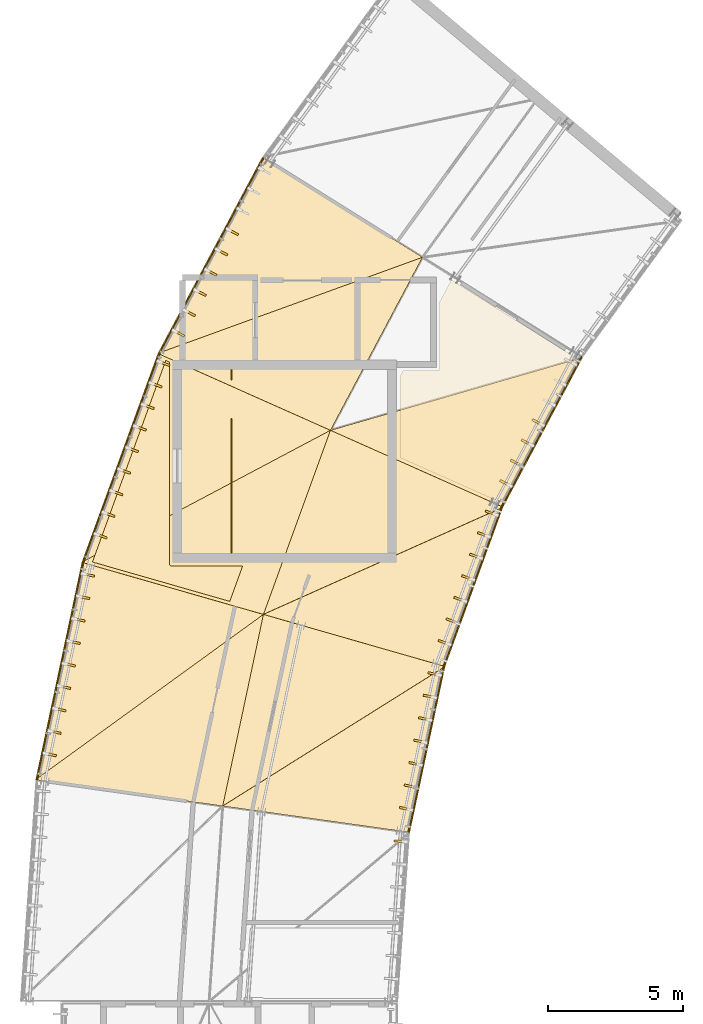
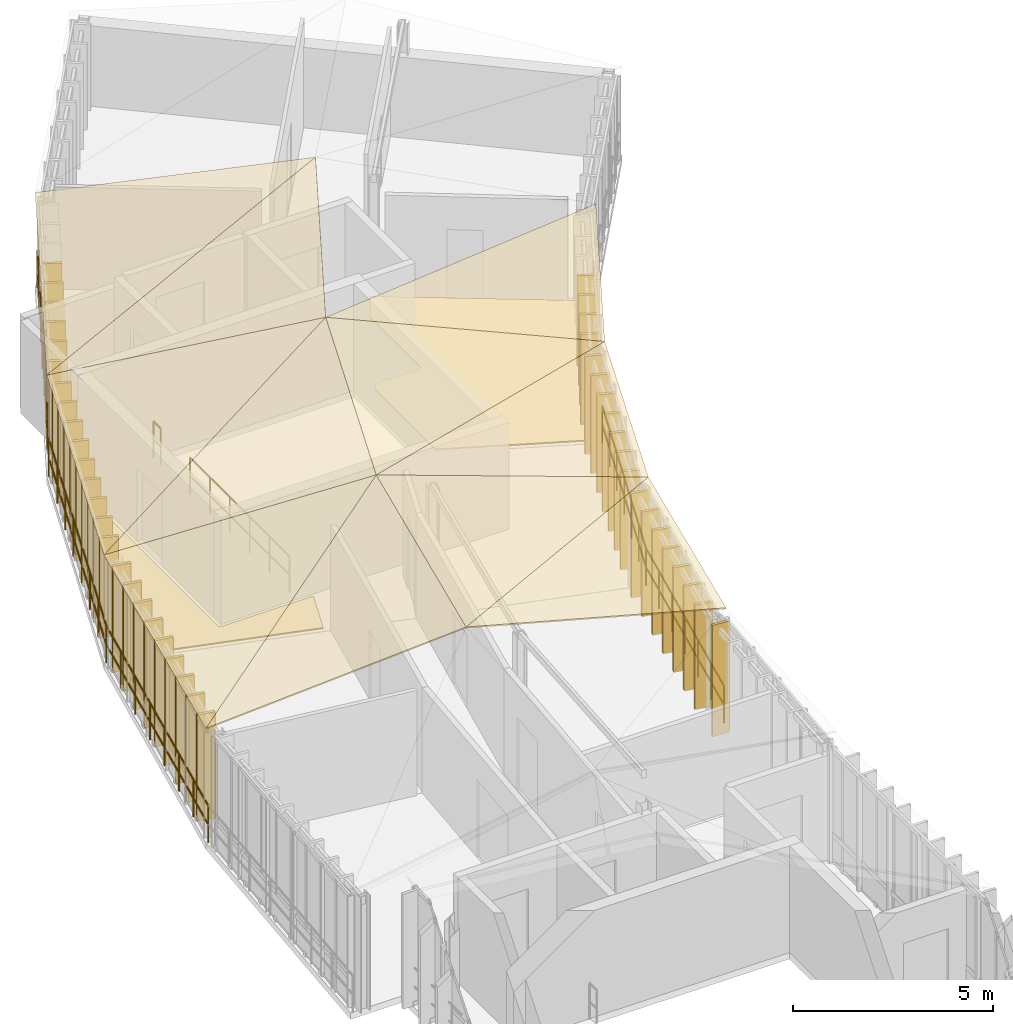
# One storey, part 17 of 18: 56 coverings, 8 railings.
"""IFC4 building model written with IfcOpenShell, lengths in metres."""

from ifc_helpers import new_model, si_unit, direction, frame, origin, origin_2d, place, context, subcontext, project, spatial, polyline, rectangle, circle, outline, extrude, material, layer, layer_set, type_object, element, save


model = new_model("IFC4")

# Units and contexts
model_context = context("Model", 3, precision=1e-05, world=origin(), true_north=direction((0.0, 1.0)))
body_context = subcontext(model_context, "Body", "Model", "MODEL_VIEW")
ifc_project = project(units=[si_unit("LENGTHUNIT", "METRE"), si_unit("AREAUNIT", "SQUARE_METRE"), si_unit("VOLUMEUNIT", "CUBIC_METRE"), si_unit("PLANEANGLEUNIT", "RADIAN"), si_unit("MASSUNIT", "GRAM", prefix="KILO"), si_unit("THERMODYNAMICTEMPERATUREUNIT", "KELVIN"), si_unit("POWERUNIT", "WATT")], contexts=[model_context])

# Site, building, storey
site_placement = place(None, origin())
site = spatial("IfcSite", under=ifc_project, at=site_placement, CompositionType="ELEMENT")
building_placement = place(site_placement, origin())
building = spatial("IfcBuilding", under=site, at=building_placement, Name="Solvatero Civic Police Headquarters", CompositionType="ELEMENT")
storey_placement = place(building_placement, frame((0.0, 0.0, 29.39990234375)))
storey = spatial("IfcBuildingStorey", under=building, at=storey_placement, Name="L07", CompositionType="ELEMENT", Elevation=29.39990234375)

# Coverings
ifc_material_1 = material(Name="Anodized Bronze Aluminium", Category="aluminium")
ifc_layer_1 = layer(ifc_material_1, 0.080078125)
ifc_layer_set_1 = layer_set([ifc_layer_1], Name="Anodized Bronze Aluminium")
covering_type_1 = type_object("IfcCoveringType", Name="COV-FIN-480", PredefinedType="CLADDING", material=ifc_layer_set_1)
for number, where, z_axis, x_axis, name in (
    (1, (42.869384765625, 54.501953125, -0.02001953125), (0.0, 0.0, 1.0), (-0.469471562786, -0.882947592859, 0.0), "Vertical Brise-Soleil Fin 1393"),
    (2, (42.47021484375, 53.75146484375, -0.02001953125), (0.0, 0.0, 1.0), (-0.469471562786, -0.882947592859, 0.0), "Vertical Brise-Soleil Fin 1394"),
    (3, (42.071044921875, 53.0009765625, -0.02001953125), (0.0, 0.0, 1.0), (-0.469471562786, -0.882947592859, 0.0), "Vertical Brise-Soleil Fin 1395"),
    (4, (41.672119140625, 52.25048828125, -0.02001953125), (0.0, 0.0, 1.0), (-0.469471562786, -0.882947592859, 0.0), "Vertical Brise-Soleil Fin 1396"),
    (5, (41.27294921875, 51.5, -0.02001953125), (0.0, 0.0, 1.0), (-0.469471562786, -0.882947592859, 0.0), "Vertical Brise-Soleil Fin 1397"),
    (6, (40.8740234375, 50.74951171875, -0.02001953125), (0.0, 0.0, 1.0), (-0.469471562786, -0.882947592859, 0.0), "Vertical Brise-Soleil Fin 1398"),
):
    element("IfcCovering", number, at=place(storey_placement, frame(where, z_axis=z_axis, x_axis=x_axis)), inside=storey, type_object=covering_type_1, Name=name, PredefinedType="CLADDING", context=body_context, shape_type="SweptSolid", body=[
        extrude(rectangle(XDim=0.080078125, YDim=0.47998046875, at=origin_2d()), origin(), (0.0, 0.0, 1.0), 2.833251953125),
    ])
for number, where, z_axis, x_axis, name in (
    (7, (54.1826171875, 47.435546875, -0.02001953125), (0.0, 0.0, 1.0), (-0.469486973057, -0.8829393989, 0.0), "Vertical Brise-Soleil Fin 1402"),
    (8, (53.78369140625, 46.68505859375, -0.02001953125), (0.0, 0.0, 1.0), (-0.469486973057, -0.8829393989, 0.0), "Vertical Brise-Soleil Fin 1403"),
    (9, (53.384521484375, 45.9345703125, -0.02001953125), (0.0, 0.0, 1.0), (-0.469486973057, -0.8829393989, 0.0), "Vertical Brise-Soleil Fin 1404"),
    (10, (52.9853515625, 45.18408203125, -0.02001953125), (0.0, 0.0, 1.0), (-0.469486973057, -0.8829393989, 0.0), "Vertical Brise-Soleil Fin 1405"),
):
    element("IfcCovering", number, at=place(storey_placement, frame(where, z_axis=z_axis, x_axis=x_axis)), inside=storey, type_object=covering_type_1, Name=name, PredefinedType="CLADDING", context=body_context, shape_type="SweptSolid", body=[
        extrude(rectangle(XDim=0.080078125, YDim=0.47998046875, at=origin_2d()), origin(), (0.0, 0.0, 1.0), 2.791748046875),
    ])
for number, where, z_axis, x_axis, name in (
    (11, (40.31884765625, 49.632568359375, -0.019775390625), (0.0, 0.0, 1.0), (-0.342020143326, -0.939692620786, 0.0), "Vertical Brise-Soleil Fin 1406"),
    (12, (40.028076171875, 48.833740234375, -0.019775390625), (0.0, 0.0, 1.0), (-0.342020143326, -0.939692620786, 0.0), "Vertical Brise-Soleil Fin 1407"),
    (13, (39.7373046875, 48.03515625, -0.019775390625), (0.0, 0.0, 1.0), (-0.342020143326, -0.939692620786, 0.0), "Vertical Brise-Soleil Fin 1408"),
    (14, (39.44677734375, 47.236328125, -0.019775390625), (0.0, 0.0, 1.0), (-0.342020143326, -0.939692620786, 0.0), "Vertical Brise-Soleil Fin 1409"),
    (15, (39.156005859375, 46.4375, -0.019775390625), (0.0, 0.0, 1.0), (-0.342020143326, -0.939692620786, 0.0), "Vertical Brise-Soleil Fin 1410"),
    (16, (38.865234375, 45.638916015625, -0.019775390625), (0.0, 0.0, 1.0), (-0.342020143326, -0.939692620786, 0.0), "Vertical Brise-Soleil Fin 1411"),
    (17, (38.57470703125, 44.840087890625, -0.019775390625), (0.0, 0.0, 1.0), (-0.342020143326, -0.939692620786, 0.0), "Vertical Brise-Soleil Fin 1412"),
    (18, (38.283935546875, 44.04150390625, -0.019775390625), (0.0, 0.0, 1.0), (-0.342020143326, -0.939692620786, 0.0), "Vertical Brise-Soleil Fin 1413"),
    (19, (37.9931640625, 43.24267578125, -0.019775390625), (0.0, 0.0, 1.0), (-0.342020143326, -0.939692620786, 0.0), "Vertical Brise-Soleil Fin 1414"),
):
    element("IfcCovering", number, at=place(storey_placement, frame(where, z_axis=z_axis, x_axis=x_axis)), inside=storey, type_object=covering_type_1, Name=name, PredefinedType="CLADDING", context=body_context, shape_type="SweptSolid", body=[
        extrude(rectangle(XDim=0.080078125, YDim=0.47998046875, at=origin_2d()), origin(), (0.0, 0.0, 1.0), 3.033203125),
    ])
for number, where, z_axis, x_axis, name in (
    (20, (52.458984375, 44.081787109375, -0.02001953125), (0.0, 0.0, 1.0), (-0.342003742543, -0.93969859002, 0.0), "Vertical Brise-Soleil Fin 1415"),
    (21, (52.168212890625, 43.282958984375, -0.02001953125), (0.0, 0.0, 1.0), (-0.342003742543, -0.93969859002, 0.0), "Vertical Brise-Soleil Fin 1416"),
    (22, (51.87744140625, 42.484375, -0.02001953125), (0.0, 0.0, 1.0), (-0.342003742543, -0.93969859002, 0.0), "Vertical Brise-Soleil Fin 1417"),
    (23, (51.5869140625, 41.685546875, -0.02001953125), (0.0, 0.0, 1.0), (-0.342003742543, -0.93969859002, 0.0), "Vertical Brise-Soleil Fin 1418"),
    (24, (51.296142578125, 40.88671875, -0.02001953125), (0.0, 0.0, 1.0), (-0.342003742543, -0.93969859002, 0.0), "Vertical Brise-Soleil Fin 1419"),
    (25, (51.00537109375, 40.088134765625, -0.02001953125), (0.0, 0.0, 1.0), (-0.342003742543, -0.93969859002, 0.0), "Vertical Brise-Soleil Fin 1420"),
    (26, (50.714599609375, 39.289306640625, -0.02001953125), (0.0, 0.0, 1.0), (-0.342003742543, -0.93969859002, 0.0), "Vertical Brise-Soleil Fin 1421"),
):
    element("IfcCovering", number, at=place(storey_placement, frame(where, z_axis=z_axis, x_axis=x_axis)), inside=storey, type_object=covering_type_1, Name=name, PredefinedType="CLADDING", context=body_context, shape_type="SweptSolid", body=[
        extrude(rectangle(XDim=0.080078125, YDim=0.47998046875, at=origin_2d()), origin(), (0.0, 0.0, 1.0), 2.99169921875),
    ])
for number, where, z_axis, x_axis, name in (
    (27, (37.52392578125, 41.798583984375, -0.02001953125), (0.0, 0.0, 1.0), (-0.20789461889, -0.978151229328, 0.0), "Vertical Brise-Soleil Fin 1422"),
    (28, (37.34716796875, 40.967041015625, -0.02001953125), (0.0, 0.0, 1.0), (-0.20789461889, -0.978151229328, 0.0), "Vertical Brise-Soleil Fin 1423"),
    (29, (37.17041015625, 40.1357421875, -0.02001953125), (0.0, 0.0, 1.0), (-0.20789461889, -0.978151229328, 0.0), "Vertical Brise-Soleil Fin 1424"),
    (30, (36.993896484375, 39.30419921875, -0.02001953125), (0.0, 0.0, 1.0), (-0.20789461889, -0.978151229328, 0.0), "Vertical Brise-Soleil Fin 1425"),
    (31, (36.81689453125, 38.472900390625, -0.02001953125), (0.0, 0.0, 1.0), (-0.20789461889, -0.978151229328, 0.0), "Vertical Brise-Soleil Fin 1426"),
    (32, (36.640380859375, 37.641357421875, -0.02001953125), (0.0, 0.0, 1.0), (-0.20789461889, -0.978151229328, 0.0), "Vertical Brise-Soleil Fin 1427"),
    (33, (36.463623046875, 36.81005859375, -0.02001953125), (0.0, 0.0, 1.0), (-0.20789461889, -0.978151229328, 0.0), "Vertical Brise-Soleil Fin 1428"),
    (34, (36.286865234375, 35.978515625, -0.02001953125), (0.0, 0.0, 1.0), (-0.20789461889, -0.978151229328, 0.0), "Vertical Brise-Soleil Fin 1429"),
    (35, (36.110107421875, 35.147216796875, -0.02001953125), (0.0, 0.0, 1.0), (-0.20789461889, -0.978151229328, 0.0), "Vertical Brise-Soleil Fin 1430"),
):
    element("IfcCovering", number, at=place(storey_placement, frame(where, z_axis=z_axis, x_axis=x_axis)), inside=storey, type_object=covering_type_1, Name=name, PredefinedType="CLADDING", context=body_context, shape_type="SweptSolid", body=[
        extrude(rectangle(XDim=0.080078125, YDim=0.47998046875, at=origin_2d()), origin(), (0.0, 0.0, 1.0), 3.2333984375),
    ])
for number, where, z_axis, x_axis, name in (
    (36, (50.3466796875, 38.12451171875, -0.02001953125), (0.0, 0.0, 1.0), (-0.207911690818, -0.978147600734, 0.0), "Vertical Brise-Soleil Fin 1431"),
    (37, (50.170166015625, 37.29296875, -0.02001953125), (0.0, 0.0, 1.0), (-0.207911690818, -0.978147600734, 0.0), "Vertical Brise-Soleil Fin 1432"),
    (38, (49.993408203125, 36.461669921875, -0.02001953125), (0.0, 0.0, 1.0), (-0.207911690818, -0.978147600734, 0.0), "Vertical Brise-Soleil Fin 1433"),
    (39, (49.816650390625, 35.630126953125, -0.02001953125), (0.0, 0.0, 1.0), (-0.207911690818, -0.978147600734, 0.0), "Vertical Brise-Soleil Fin 1434"),
    (40, (49.639892578125, 34.798583984375, -0.02001953125), (0.0, 0.0, 1.0), (-0.207911690818, -0.978147600734, 0.0), "Vertical Brise-Soleil Fin 1435"),
    (41, (49.463134765625, 33.96728515625, -0.02001953125), (0.0, 0.0, 1.0), (-0.207911690818, -0.978147600734, 0.0), "Vertical Brise-Soleil Fin 1436"),
    (42, (49.286376953125, 33.135986328125, -0.02001953125), (0.0, 0.0, 1.0), (-0.207911690818, -0.978147600734, 0.0), "Vertical Brise-Soleil Fin 1437"),
):
    element("IfcCovering", number, at=place(storey_placement, frame(where, z_axis=z_axis, x_axis=x_axis)), inside=storey, type_object=covering_type_1, Name=name, PredefinedType="CLADDING", context=body_context, shape_type="SweptSolid", body=[
        extrude(rectangle(XDim=0.080078125, YDim=0.47998046875, at=origin_2d()), origin(), (0.0, 0.0, 1.0), 3.191650390625),
    ])
covering_1_placement = place(storey_placement, frame((49.084228515625, 31.930908203125, -0.02001953125), z_axis=(0.0, 0.0, 1.0), x_axis=(-0.069773884511, -0.997562832628, 0.0)))
element("IfcCovering", 43, at=covering_1_placement, inside=storey, type_object=covering_type_1, Name="Vertical Brise-Soleil Fin 1447", PredefinedType="CLADDING", context=body_context, shape_type="SweptSolid", body=[
    extrude(rectangle(XDim=0.080078125, YDim=0.47998046875, at=origin_2d()), origin(), (0.0, 0.0, 1.0), 3.3916015625),
])
ifc_material_2 = material(Name="Venetian Terrazzo Stone", Category="masonry")
ifc_layer_2 = layer(ifc_material_2, 0.034912109375)
ifc_layer_set_2 = layer_set([ifc_layer_2], Name="Venetian Terrazzo Stone")
covering_type_2 = type_object("IfcCoveringType", Name="COV-FLR-TER", PredefinedType="FLOORING", material=ifc_layer_set_2)
covering_2_placement = place(storey_placement, origin())
element("IfcCovering", 44, at=covering_2_placement, inside=storey, type_object=covering_type_2, Name="Flooring Questore Executive Command Suite Bay 9", PredefinedType="FLOORING", context=body_context, shape_type="SweptSolid", body=[
    extrude(outline(polyline([(50.972412109375, 52.7216796875), (55.4580078125, 49.918701171875), (52.608642578125, 44.559814453125), (49.070068359375, 46.135498046875), (49.070068359375, 49.14404296875), (49.184814453125, 49.360107421875), (50.4599609375, 49.360107421875), (50.4677734375, 49.3603515625), (50.4755859375, 49.361572265625), (50.483154296875, 49.36328125), (50.490478515625, 49.3662109375), (50.497802734375, 49.369384765625), (50.50439453125, 49.37353515625), (50.5107421875, 49.378173828125), (50.5166015625, 49.38330078125), (50.521728515625, 49.38916015625), (50.526611328125, 49.3955078125), (50.530517578125, 49.40234375), (50.533935546875, 49.409423828125), (50.53662109375, 49.416748046875), (50.53857421875, 49.42431640625), (50.53955078125, 49.43212890625), (50.5400390625, 49.43994140625), (50.5400390625, 51.90869140625), (50.972412109375, 52.7216796875)])), origin(), (0.0, 0.0, 1.0), 0.03515625),
])
covering_3_placement = place(storey_placement, origin())
element("IfcCovering", 45, at=covering_3_placement, inside=storey, type_object=covering_type_2, Name="Flooring Metropolitan Strategic Boardroom Bay 10", PredefinedType="FLOORING", context=body_context, shape_type="SweptSolid", body=[
    extrude(outline(polyline([(40.530029296875, 49.675048828125), (40.530029296875, 42.2099609375), (40.530517578125, 42.2021484375), (40.531494140625, 42.1943359375), (40.533447265625, 42.186767578125), (40.5361328125, 42.179443359375), (40.539306640625, 42.17236328125), (40.54345703125, 42.16552734375), (40.548095703125, 42.1591796875), (40.553466796875, 42.1533203125), (40.55908203125, 42.148193359375), (40.565673828125, 42.1435546875), (40.572265625, 42.139404296875), (40.579345703125, 42.135986328125), (40.5869140625, 42.13330078125), (40.594482421875, 42.131591796875), (40.602294921875, 42.13037109375), (40.610107421875, 42.1298828125), (43.24560546875, 42.1298828125), (42.76708984375, 40.815673828125), (37.6826171875, 42.273681640625), (40.39794921875, 49.73388671875), (40.530029296875, 49.675048828125)])), origin(), (0.0, 0.0, 1.0), 0.03515625),
])
ifc_layer_3 = layer(ifc_material_1, 0.0400390625)
ifc_layer_set_3 = layer_set([ifc_layer_3], Name="Anodized Bronze Aluminium")
covering_type_3 = type_object("IfcCoveringType", Name="COV-RF-ZINC", PredefinedType="ROOFING", material=ifc_layer_set_3)
covering_4_placement = place(storey_placement, frame((55.837890625, 49.846435546875, 2.89013671875), z_axis=(0.168344346277, -0.054008744404, 0.984247548437), x_axis=(-0.950284714257, -0.274238072951, 0.147487088224)))
element("IfcCovering", 46, at=covering_4_placement, inside=storey, type_object=covering_type_3, Name="Operations Arc Standing-Seam Roof Covering B9 IN2", PredefinedType="ROOFING", context=body_context, shape_type="SweptSolid", body=[
    extrude(outline(polyline([(0.0, 0.0), (9.831038020589624, 2.220446049250313e-16), (4.350690665261698, 4.530916119518074), (0.0, 0.0)])), origin(), (0.0, 0.0, -1.0), 0.0400390625),
])
covering_5_placement = place(storey_placement, frame((49.901611328125, 53.555908203125, 4.14013671875), z_axis=(-0.142878904451, 0.103052895771, 0.984360563684), x_axis=(-0.834862527116, 0.521634577006, -0.175789444762)))
element("IfcCovering", 47, at=covering_5_placement, inside=storey, type_object=covering_type_3, Name="Operations Arc Standing-Seam Roof Covering B9 OUT1", PredefinedType="ROOFING", context=body_context, shape_type="SweptSolid", body=[
    extrude(outline(polyline([(0.0, 0.0), (7.110779613032066, -1.8388068845354155e-16), (6.5107343092291385, 8.211583668755015), (0.0, 0.0)])), origin(), (0.0, 0.0, -1.0), 0.0400390625),
])
covering_6_placement = place(storey_placement, frame((49.901611328125, 53.555908203125, 4.14013671875), z_axis=(-0.144417196708, 0.107496373591, 0.983660613708), x_axis=(-0.935234320513, -0.339553612532, -0.100200349057)))
element("IfcCovering", 48, at=covering_6_placement, inside=storey, type_object=covering_type_3, Name="Operations Arc Standing-Seam Roof Covering B9 OUT2", PredefinedType="ROOFING", context=body_context, shape_type="SweptSolid", body=[
    extrude(outline(polyline([(0.0, 0.0), (10.479492716459966, -1.1102230246251565e-16), (5.340395032128431, 4.914437173239411), (0.0, 0.0)])), origin(), (0.0, 0.0, -1.0), 0.0400390625),
])
covering_7_placement = place(storey_placement, frame((52.890380859375, 44.302978515625, 3.090087890625), z_axis=(0.176518338925, -0.035393843669, 0.983660791052), x_axis=(-0.899305244136, 0.400435118633, 0.175789060053)))
element("IfcCovering", 49, at=covering_7_placement, inside=storey, type_object=covering_type_3, Name="Operations Arc Standing-Seam Roof Covering B10 IN1", PredefinedType="ROOFING", context=body_context, shape_type="SweptSolid", body=[
    extrude(outline(polyline([(0.0, 0.0), (7.110795174743717, 1.6653345369377348e-16), (6.647382133636629, 7.242809985906738), (0.0, 0.0)])), origin(), (0.0, 0.0, -1.0), 0.0400390625),
])
covering_8_placement = place(storey_placement, frame((52.890380859375, 44.302978515625, 3.090087890625), z_axis=(0.174226212086, -0.030055098361, 0.984246878626), x_axis=(-0.902867950216, -0.403827036485, 0.14748962362)))
element("IfcCovering", 50, at=covering_8_placement, inside=storey, type_object=covering_type_3, Name="Operations Arc Standing-Seam Roof Covering B10 IN2", PredefinedType="ROOFING", context=body_context, shape_type="SweptSolid", body=[
    extrude(outline(polyline([(0.0, 0.0), (9.830869021736676, 4.718447854656915e-16), (4.350388258421888, 4.530435764035949), (0.0, 0.0)])), origin(), (0.0, 0.0, -1.0), 0.0400390625),
])
covering_9_placement = place(storey_placement, frame((46.49560546875, 47.150390625, 4.340087890625), z_axis=(-0.155833041641, 0.082163433578, 0.984360316813), x_axis=(-0.899317607923, 0.400406289604, -0.175791476828)))
element("IfcCovering", 51, at=covering_9_placement, inside=storey, type_object=covering_type_3, Name="Operations Arc Standing-Seam Roof Covering B10 OUT1", PredefinedType="ROOFING", context=body_context, shape_type="SweptSolid", body=[
    extrude(outline(polyline([(0.0, 0.0), (7.1106974157827265, 3.469446951953614e-18), (6.510205728820707, 8.21174584652905), (0.0, 0.0)])), origin(), (0.0, 0.0, -1.0), 0.0400390625),
])
covering_10_placement = place(storey_placement, frame((46.49560546875, 47.150390625, 4.340087890625), z_axis=(-0.157972356359, 0.086344777355, 0.983661178481), x_axis=(-0.878872490149, -0.466414676407, -0.100202273887)))
element("IfcCovering", 52, at=covering_10_placement, inside=storey, type_object=covering_type_3, Name="Operations Arc Standing-Seam Roof Covering B10 OUT2", PredefinedType="ROOFING", context=body_context, shape_type="SweptSolid", body=[
    extrude(outline(polyline([(0.0, 0.0), (10.479291411138306, 5.828670879282072e-16), (5.340351288831444, 4.914641009320499), (0.0, 0.0)])), origin(), (0.0, 0.0, -1.0), 0.0400390625),
])
covering_11_placement = place(storey_placement, frame((50.7431640625, 38.40380859375, 3.2900390625), z_axis=(0.179728232728, -0.010484883351, 0.983660423918), x_axis=(-0.946300931192, 0.271313448651, 0.175794084674)))
element("IfcCovering", 53, at=covering_11_placement, inside=storey, type_object=covering_type_3, Name="Operations Arc Standing-Seam Roof Covering B11 IN1", PredefinedType="ROOFING", context=body_context, shape_type="SweptSolid", body=[
    extrude(outline(polyline([(0.0, 0.0), (7.110591930994171, -2.7755575615628914e-17), (6.647822673963361, 7.242462559732816), (0.0, 0.0)])), origin(), (0.0, 0.0, -1.0), 0.0400390625),
])
covering_12_placement = place(storey_placement, frame((50.7431640625, 38.40380859375, 3.2900390625), z_axis=(0.176711021891, -0.005509999991, 0.984247354399), x_axis=(-0.837873578895, -0.525561473374, 0.147488994489)))
element("IfcCovering", 54, at=covering_12_placement, inside=storey, type_object=covering_type_3, Name="Operations Arc Standing-Seam Roof Covering B11 IN2", PredefinedType="ROOFING", context=body_context, shape_type="SweptSolid", body=[
    extrude(outline(polyline([(0.0, 0.0), (9.83091095644717, -2.7755575615628914e-16), (4.350595444457425, 4.5309001206059705), (0.0, 0.0)])), origin(), (0.0, 0.0, -1.0), 0.0400390625),
])
covering_13_placement = place(storey_placement, frame((44.014404296875, 40.3330078125, 4.5400390625), z_axis=(-0.165750009047, 0.059677333902, 0.984360477833), x_axis=(-0.946283298943, 0.271377061603, -0.175790809136)))
element("IfcCovering", 55, at=covering_13_placement, inside=storey, type_object=covering_type_3, Name="Operations Arc Standing-Seam Roof Covering B11 OUT1", PredefinedType="ROOFING", context=body_context, shape_type="SweptSolid", body=[
    extrude(outline(polyline([(0.0, 0.0), (7.110724423794672, -1.9081958235744878e-17), (6.510072357948977, 8.211884569332835), (0.0, 0.0)])), origin(), (0.0, 0.0, -1.0), 0.0400390625),
])
covering_14_placement = place(storey_placement, frame((44.014404296875, 40.3330078125, 4.5400390625), z_axis=(-0.16845288133, 0.063523826073, 0.983660688598), x_axis=(-0.805413686364, -0.584181776216, -0.1002020267)))
element("IfcCovering", 56, at=covering_14_placement, inside=storey, type_object=covering_type_3, Name="Operations Arc Standing-Seam Roof Covering B11 OUT2", PredefinedType="ROOFING", context=body_context, shape_type="SweptSolid", body=[
    extrude(outline(polyline([(0.0, 0.0), (10.479317262387758, -4.163336342344337e-16), (5.340093657278403, 4.914348282924141), (0.0, 0.0)])), origin(), (0.0, 0.0, -1.0), 0.0400390625),
])

# Railings
ifc_material_3 = material(Name="Anodized Bronze and Laminated Glass", Category="glass")
railing_type_1 = type_object("IfcRailingType", Name="RL-BAL-115", PredefinedType="BALUSTRADE", material=ifc_material_3)
railing_1_placement = place(storey_placement, frame((55.787109375, 49.878173828125, 0.0)))
element("IfcRailing", 57, at=railing_1_placement, inside=storey, type_object=railing_type_1, Name="Glazed Facade Sill Balustrade RL-L07-ARCIN-B09", PredefinedType="BALUSTRADE", context=body_context, shape_type="SweptSolid", body=[
    extrude(circle(Radius=0.02392578125, at=origin_2d()), frame((0.0, 0.0, 1.1259765625), z_axis=(-0.469489306855, -0.882938157941, 0.0), x_axis=(0.882938157941, -0.469489306855, 0.0)), (0.0, 0.0, 1.0), 6.286376953125),
    extrude(circle(Radius=0.02392578125, at=origin_2d()), frame((0.0, 0.0, 0.55078125), z_axis=(-0.469489306855, -0.882938157941, 0.0), x_axis=(0.882938157941, -0.469489306855, 0.0)), (0.0, 0.0, 1.0), 6.286376953125),
    extrude(circle(Radius=0.02099609375, at=origin_2d()), origin(), (0.0, 0.0, 1.0), 1.101806640625),
    extrude(circle(Radius=0.02099609375, at=origin_2d()), frame((-0.491943359375, -0.925048828125, 0.0)), (0.0, 0.0, 1.0), 1.101806640625),
    extrude(circle(Radius=0.02099609375, at=origin_2d()), frame((-0.98388671875, -1.85009765625, 0.0)), (0.0, 0.0, 1.0), 1.101806640625),
    extrude(circle(Radius=0.02099609375, at=origin_2d()), frame((-1.4755859375, -2.775390625, 0.0)), (0.0, 0.0, 1.0), 1.101806640625),
    extrude(circle(Radius=0.02099609375, at=origin_2d()), frame((-1.967529296875, -3.700439453125, 0.0)), (0.0, 0.0, 1.0), 1.101806640625),
    extrude(circle(Radius=0.02099609375, at=origin_2d()), frame((-2.45947265625, -4.62548828125, 0.0)), (0.0, 0.0, 1.0), 1.101806640625),
    extrude(circle(Radius=0.02099609375, at=origin_2d()), frame((-2.951416015625, -5.550537109375, 0.0)), (0.0, 0.0, 1.0), 1.101806640625),
])
railing_2_placement = place(storey_placement, frame((44.01611328125, 57.2333984375, 0.0)))
element("IfcRailing", 58, at=railing_2_placement, inside=storey, type_object=railing_type_1, Name="Glazed Facade Sill Balustrade RL-L07-ARCOUT-B09", PredefinedType="BALUSTRADE", context=body_context, shape_type="SweptSolid", body=[
    extrude(circle(Radius=0.02392578125, at=origin_2d()), frame((0.0, 0.0, 1.1259765625), z_axis=(-0.469495286037, -0.882934978573, 0.0), x_axis=(0.882934978573, -0.469495286037, 0.0)), (0.0, 0.0, 1.0), 8.222900390625),
    extrude(circle(Radius=0.02392578125, at=origin_2d()), frame((0.0, 0.0, 0.55078125), z_axis=(-0.469495286037, -0.882934978573, 0.0), x_axis=(0.882934978573, -0.469495286037, 0.0)), (0.0, 0.0, 1.0), 8.222900390625),
    extrude(circle(Radius=0.02099609375, at=origin_2d()), origin(), (0.0, 0.0, 1.0), 1.101806640625),
    extrude(circle(Radius=0.02099609375, at=origin_2d()), frame((-0.551513671875, -1.037109375, 0.0)), (0.0, 0.0, 1.0), 1.101806640625),
    extrude(circle(Radius=0.02099609375, at=origin_2d()), frame((-1.10302734375, -2.074462890625, 0.0)), (0.0, 0.0, 1.0), 1.101806640625),
    extrude(circle(Radius=0.02099609375, at=origin_2d()), frame((-1.654541015625, -3.111572265625, 0.0)), (0.0, 0.0, 1.0), 1.101806640625),
    extrude(circle(Radius=0.02099609375, at=origin_2d()), frame((-2.2060546875, -4.148681640625, 0.0)), (0.0, 0.0, 1.0), 1.101806640625),
    extrude(circle(Radius=0.02099609375, at=origin_2d()), frame((-2.757568359375, -5.185791015625, 0.0)), (0.0, 0.0, 1.0), 1.101806640625),
    extrude(circle(Radius=0.02099609375, at=origin_2d()), frame((-3.30908203125, -6.22314453125, 0.0)), (0.0, 0.0, 1.0), 1.101806640625),
    extrude(circle(Radius=0.02099609375, at=origin_2d()), frame((-3.860595703125, -7.26025390625, 0.0)), (0.0, 0.0, 1.0), 1.101806640625),
])
railing_3_placement = place(storey_placement, frame((52.835693359375, 44.32763671875, 0.0)))
element("IfcRailing", 59, at=railing_3_placement, inside=storey, type_object=railing_type_1, Name="Glazed Facade Sill Balustrade RL-L07-ARCIN-B10", PredefinedType="BALUSTRADE", context=body_context, shape_type="SweptSolid", body=[
    extrude(circle(Radius=0.02392578125, at=origin_2d()), frame((0.0, 0.0, 1.1259765625), z_axis=(-0.342020563113, -0.939692467996, 0.0), x_axis=(0.939692467996, -0.342020563113, 0.0)), (0.0, 0.0, 1.0), 6.28662109375),
    extrude(circle(Radius=0.02392578125, at=origin_2d()), frame((0.0, 0.0, 0.55078125), z_axis=(-0.342020563113, -0.939692467996, 0.0), x_axis=(0.939692467996, -0.342020563113, 0.0)), (0.0, 0.0, 1.0), 6.28662109375),
    extrude(circle(Radius=0.02099609375, at=origin_2d()), origin(), (0.0, 0.0, 1.0), 1.101806640625),
    extrude(circle(Radius=0.02099609375, at=origin_2d()), frame((-0.3583984375, -0.984619140625, 0.0)), (0.0, 0.0, 1.0), 1.101806640625),
    extrude(circle(Radius=0.02099609375, at=origin_2d()), frame((-0.716796875, -1.96923828125, 0.0)), (0.0, 0.0, 1.0), 1.101806640625),
    extrude(circle(Radius=0.02099609375, at=origin_2d()), frame((-1.0751953125, -2.95361328125, 0.0)), (0.0, 0.0, 1.0), 1.101806640625),
    extrude(circle(Radius=0.02099609375, at=origin_2d()), frame((-1.433349609375, -3.938232421875, 0.0)), (0.0, 0.0, 1.0), 1.101806640625),
    extrude(circle(Radius=0.02099609375, at=origin_2d()), frame((-1.791748046875, -4.9228515625, 0.0)), (0.0, 0.0, 1.0), 1.101806640625),
    extrude(circle(Radius=0.02099609375, at=origin_2d()), frame((-2.150146484375, -5.907470703125, 0.0)), (0.0, 0.0, 1.0), 1.101806640625),
])
railing_4_placement = place(storey_placement, frame((40.155517578125, 49.97314453125, 0.0)))
element("IfcRailing", 60, at=railing_4_placement, inside=storey, type_object=railing_type_1, Name="Glazed Facade Sill Balustrade RL-L07-ARCOUT-B10", PredefinedType="BALUSTRADE", context=body_context, shape_type="SweptSolid", body=[
    extrude(circle(Radius=0.02392578125, at=origin_2d()), frame((0.0, 0.0, 1.1259765625), z_axis=(-0.342002894578, -0.939698898637, 0.0), x_axis=(0.939698898637, -0.342002894578, 0.0)), (0.0, 0.0, 1.0), 8.222900390625),
    extrude(circle(Radius=0.02392578125, at=origin_2d()), frame((0.0, 0.0, 0.55078125), z_axis=(-0.342002894578, -0.939698898637, 0.0), x_axis=(0.939698898637, -0.342002894578, 0.0)), (0.0, 0.0, 1.0), 8.222900390625),
    extrude(circle(Radius=0.02099609375, at=origin_2d()), origin(), (0.0, 0.0, 1.0), 1.101806640625),
    extrude(circle(Radius=0.02099609375, at=origin_2d()), frame((-0.40185546875, -1.103759765625, 0.0)), (0.0, 0.0, 1.0), 1.101806640625),
    extrude(circle(Radius=0.02099609375, at=origin_2d()), frame((-0.803466796875, -2.207763671875, 0.0)), (0.0, 0.0, 1.0), 1.101806640625),
    extrude(circle(Radius=0.02099609375, at=origin_2d()), frame((-1.205322265625, -3.3115234375, 0.0)), (0.0, 0.0, 1.0), 1.101806640625),
    extrude(circle(Radius=0.02099609375, at=origin_2d()), frame((-1.60693359375, -4.41552734375, 0.0)), (0.0, 0.0, 1.0), 1.101806640625),
    extrude(circle(Radius=0.02099609375, at=origin_2d()), frame((-2.0087890625, -5.519287109375, 0.0)), (0.0, 0.0, 1.0), 1.101806640625),
    extrude(circle(Radius=0.02099609375, at=origin_2d()), frame((-2.410400390625, -6.623291015625, 0.0)), (0.0, 0.0, 1.0), 1.101806640625),
    extrude(circle(Radius=0.02099609375, at=origin_2d()), frame((-2.812255859375, -7.72705078125, 0.0)), (0.0, 0.0, 1.0), 1.101806640625),
])
railing_5_placement = place(storey_placement, frame((50.685546875, 38.420166015625, 0.0)))
element("IfcRailing", 61, at=railing_5_placement, inside=storey, type_object=railing_type_1, Name="Glazed Facade Sill Balustrade RL-L07-ARCIN-B11", PredefinedType="BALUSTRADE", context=body_context, shape_type="SweptSolid", body=[
    extrude(circle(Radius=0.02392578125, at=origin_2d()), frame((0.0, 0.0, 1.1259765625), z_axis=(-0.207924245306, -0.978144932111, 0.0), x_axis=(0.978144932111, -0.207924245306, 0.0)), (0.0, 0.0, 1.0), 6.28662109375),
    extrude(circle(Radius=0.02392578125, at=origin_2d()), frame((0.0, 0.0, 0.55078125), z_axis=(-0.207924245306, -0.978144932111, 0.0), x_axis=(0.978144932111, -0.207924245306, 0.0)), (0.0, 0.0, 1.0), 6.28662109375),
    extrude(circle(Radius=0.02099609375, at=origin_2d()), origin(), (0.0, 0.0, 1.0), 1.101806640625),
    extrude(circle(Radius=0.02099609375, at=origin_2d()), frame((-0.2177734375, -1.02490234375, 0.0)), (0.0, 0.0, 1.0), 1.101806640625),
    extrude(circle(Radius=0.02099609375, at=origin_2d()), frame((-0.435791015625, -2.0498046875, 0.0)), (0.0, 0.0, 1.0), 1.101806640625),
    extrude(circle(Radius=0.02099609375, at=origin_2d()), frame((-0.653564453125, -3.07470703125, 0.0)), (0.0, 0.0, 1.0), 1.101806640625),
    extrude(circle(Radius=0.02099609375, at=origin_2d()), frame((-0.871337890625, -4.099365234375, 0.0)), (0.0, 0.0, 1.0), 1.101806640625),
    extrude(circle(Radius=0.02099609375, at=origin_2d()), frame((-1.08935546875, -5.124267578125, 0.0)), (0.0, 0.0, 1.0), 1.101806640625),
    extrude(circle(Radius=0.02099609375, at=origin_2d()), frame((-1.30712890625, -6.149169921875, 0.0)), (0.0, 0.0, 1.0), 1.101806640625),
])
railing_6_placement = place(storey_placement, frame((37.34326171875, 42.24609375, 0.0)))
element("IfcRailing", 62, at=railing_6_placement, inside=storey, type_object=railing_type_1, Name="Glazed Facade Sill Balustrade RL-L07-ARCOUT-B11", PredefinedType="BALUSTRADE", context=body_context, shape_type="SweptSolid", body=[
    extrude(circle(Radius=0.02392578125, at=origin_2d()), frame((0.0, 0.0, 1.1259765625), z_axis=(-0.207920896775, -0.978145643902, 0.0), x_axis=(0.978145643902, -0.207920896775, 0.0)), (0.0, 0.0, 1.0), 8.222900390625),
    extrude(circle(Radius=0.02392578125, at=origin_2d()), frame((0.0, 0.0, 0.55078125), z_axis=(-0.207920896775, -0.978145643902, 0.0), x_axis=(0.978145643902, -0.207920896775, 0.0)), (0.0, 0.0, 1.0), 8.222900390625),
    extrude(circle(Radius=0.02099609375, at=origin_2d()), origin(), (0.0, 0.0, 1.0), 1.101806640625),
    extrude(circle(Radius=0.02099609375, at=origin_2d()), frame((-0.244140625, -1.14892578125, 0.0)), (0.0, 0.0, 1.0), 1.101806640625),
    extrude(circle(Radius=0.02099609375, at=origin_2d()), frame((-0.488525390625, -2.298095703125, 0.0)), (0.0, 0.0, 1.0), 1.101806640625),
    extrude(circle(Radius=0.02099609375, at=origin_2d()), frame((-0.732666015625, -3.447021484375, 0.0)), (0.0, 0.0, 1.0), 1.101806640625),
    extrude(circle(Radius=0.02099609375, at=origin_2d()), frame((-0.97705078125, -4.59619140625, 0.0)), (0.0, 0.0, 1.0), 1.101806640625),
    extrude(circle(Radius=0.02099609375, at=origin_2d()), frame((-1.22119140625, -5.7451171875, 0.0)), (0.0, 0.0, 1.0), 1.101806640625),
    extrude(circle(Radius=0.02099609375, at=origin_2d()), frame((-1.465576171875, -6.894287109375, 0.0)), (0.0, 0.0, 1.0), 1.101806640625),
    extrude(circle(Radius=0.02099609375, at=origin_2d()), frame((-1.709716796875, -8.043212890625, 0.0)), (0.0, 0.0, 1.0), 1.101806640625),
])
ifc_material_4 = material(Name="Painted Galvanized Steel", Category="steel")
railing_type_2 = type_object("IfcRailingType", Name="RL-GRD-110", PredefinedType="GUARDRAIL", material=ifc_material_4)
railing_7_placement = place(storey_placement, frame((42.830078125, 42.610107421875, 0.0)))
element("IfcRailing", 63, at=railing_7_placement, inside=storey, type_object=railing_type_2, Name="ST-C2 Top Landing Well Guardrail", PredefinedType="GUARDRAIL", context=body_context, shape_type="SweptSolid", body=[
    extrude(circle(Radius=0.02392578125, at=origin_2d()), frame((0.0, 0.0, 1.09619140625), z_axis=(0.0, 1.0, 0.0), x_axis=(-1.0, 0.0, 0.0)), (0.0, 0.0, 1.0), 4.9599609375),
    extrude(circle(Radius=0.02392578125, at=origin_2d()), frame((0.0, 0.0, 0.5361328125), z_axis=(0.0, 1.0, 0.0), x_axis=(-1.0, 0.0, 0.0)), (0.0, 0.0, 1.0), 4.9599609375),
    extrude(circle(Radius=0.02099609375, at=origin_2d()), origin(), (0.0, 0.0, 1.0), 1.072021484375),
    extrude(circle(Radius=0.02099609375, at=origin_2d()), frame((0.0, 0.991943359375, 0.0)), (0.0, 0.0, 1.0), 1.072021484375),
    extrude(circle(Radius=0.02099609375, at=origin_2d()), frame((0.0, 1.98388671875, 0.0)), (0.0, 0.0, 1.0), 1.072021484375),
    extrude(circle(Radius=0.02099609375, at=origin_2d()), frame((0.0, 2.97607421875, 0.0)), (0.0, 0.0, 1.0), 1.072021484375),
    extrude(circle(Radius=0.02099609375, at=origin_2d()), frame((0.0, 3.968017578125, 0.0)), (0.0, 0.0, 1.0), 1.072021484375),
    extrude(circle(Radius=0.02099609375, at=origin_2d()), frame((0.0, 4.9599609375, 0.0)), (0.0, 0.0, 1.0), 1.072021484375),
])
railing_8_placement = place(storey_placement, frame((42.830078125, 49.030029296875, 0.0)))
element("IfcRailing", 64, at=railing_8_placement, inside=storey, type_object=railing_type_2, Name="ST-C2 Top Landing North Slot Guardrail", PredefinedType="GUARDRAIL", context=body_context, shape_type="SweptSolid", body=[
    extrude(circle(Radius=0.02392578125, at=origin_2d()), frame((0.0, 0.0, 1.09619140625), z_axis=(0.0, 1.0, 0.0), x_axis=(-1.0, 0.0, 0.0)), (0.0, 0.0, 1.0), 0.35986328125),
    extrude(circle(Radius=0.02392578125, at=origin_2d()), frame((0.0, 0.0, 0.5361328125), z_axis=(0.0, 1.0, 0.0), x_axis=(-1.0, 0.0, 0.0)), (0.0, 0.0, 1.0), 0.35986328125),
    extrude(circle(Radius=0.02099609375, at=origin_2d()), origin(), (0.0, 0.0, 1.0), 1.072021484375),
    extrude(circle(Radius=0.02099609375, at=origin_2d()), frame((0.0, 0.35986328125, 0.0)), (0.0, 0.0, 1.0), 1.072021484375),
])

save(model, "model.ifc")
